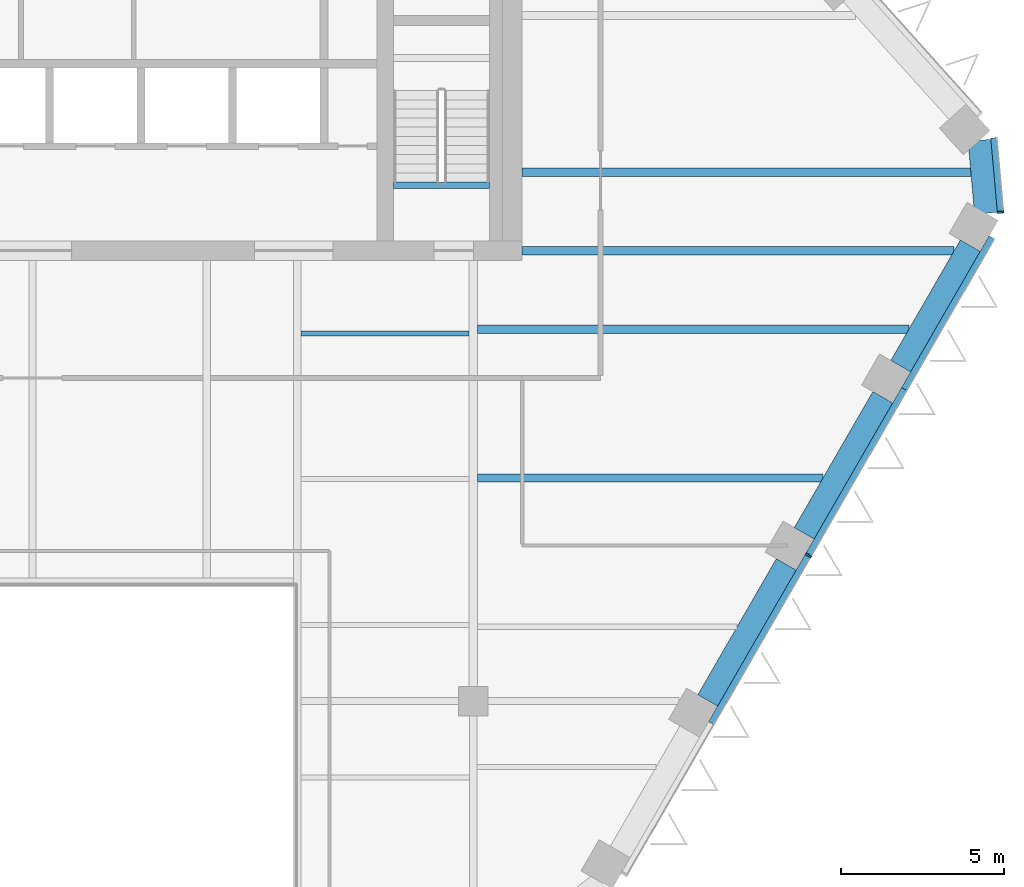
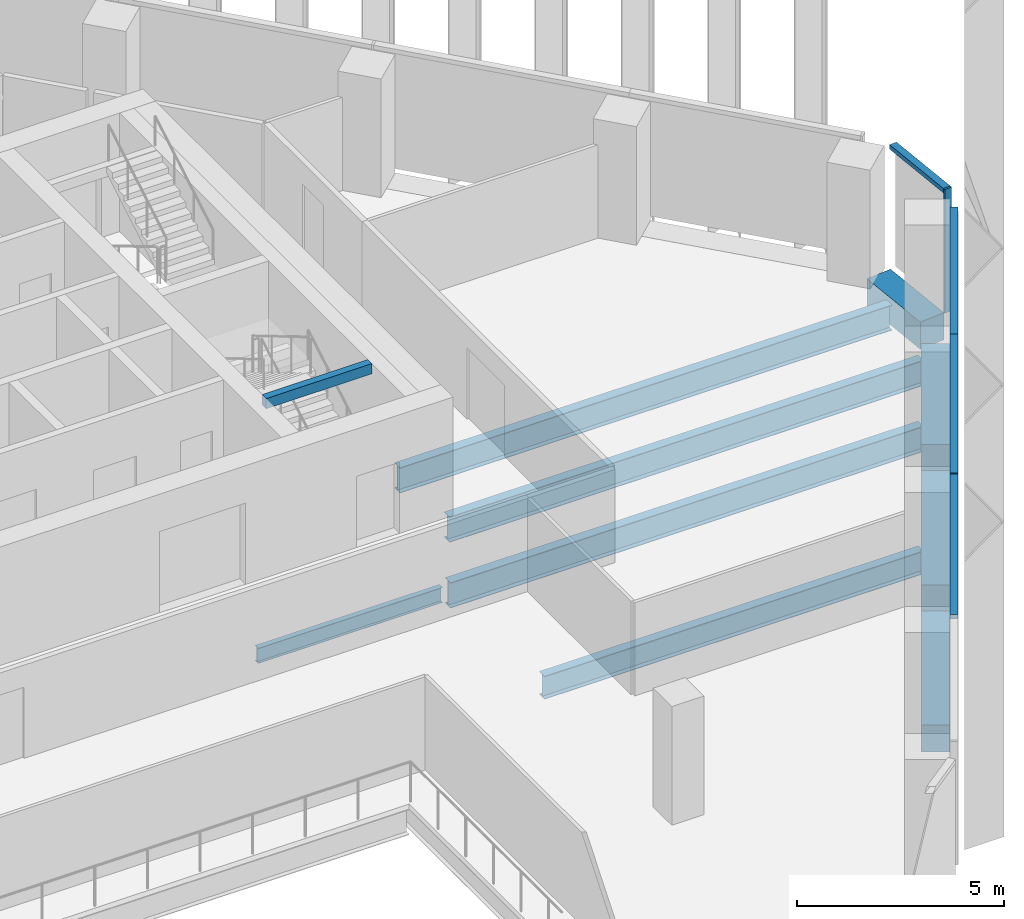
# One storey, part 5 of 18: 10 beams, 6 members, 2 elements without a shape of their own.
"""IFC4 building model written with IfcOpenShell, lengths in metres."""

import ifcopenshell
import ifcopenshell.guid

model = None  # the IFC model being written
_history = None  # IfcOwnerHistory: only IFC2X3 demands one
_inside = {}  # id of a spatial element -> (the spatial element, [elements in it])
_under = {}  # id of a project, library or spatial element -> (it, [spatial elements below it])
_declared = {}  # id of a project -> (the project, [libraries it declares])
_typed = {}  # id of a type object -> (the type object, [elements of that type])
_made_of = {}  # id of a material, layer set ... -> (it, [elements and type objects made of it])


def new_model(schema):
    """Start an empty IFC model of exactly this schema.

    Asked for "IFC4X3", IfcOpenShell would pick the latest addendum, in which some entities
    have other attributes; the version numbers below select the first issue.
    IFC2X3 requires an IfcOwnerHistory on every rooted entity: one is made here for all.
    """
    global model, _history
    if schema == "IFC4X3":
        model = ifcopenshell.file(schema_version=(4, 3, 0, 0))
    else:
        model = ifcopenshell.file(schema=schema)
    _inside.clear()
    _under.clear()
    _declared.clear()
    _typed.clear()
    _made_of.clear()
    _history = None
    if model.schema == "IFC2X3":
        org = make("IfcOrganization", Name="unknown")
        user = make(
            "IfcPersonAndOrganization",
            ThePerson=make("IfcPerson", FamilyName="unknown"),
            TheOrganization=org,
        )
        app = make(
            "IfcApplication",
            ApplicationDeveloper=org,
            Version="unknown",
            ApplicationFullName="unknown",
            ApplicationIdentifier="unknown",
        )
        _history = make(
            "IfcOwnerHistory",
            OwningUser=user,
            OwningApplication=app,
            ChangeAction="ADDED",
            CreationDate=0,
        )
    return model


def make(cls, **values):
    """One entity of the class cls with the attributes given. An attribute that is None is left unset."""
    return model.create_entity(
        cls, **{name: value for name, value in values.items() if value is not None}
    )


def rooted(cls, **values):
    """An entity with a GlobalId (a new one), such as an element, a storey or a relation."""
    return make(cls, GlobalId=ifcopenshell.guid.new(), OwnerHistory=_history, **values)


def si_unit(unit_type, name, prefix=None):
    """IfcSIUnit, for example si_unit("LENGTHUNIT", "METRE", prefix="MILLI")."""
    return make("IfcSIUnit", UnitType=unit_type, Prefix=prefix, Name=name)


def assignment(units):
    """IfcUnitAssignment: the units of a project."""
    return None if units is None else make("IfcUnitAssignment", Units=units)


def point(xyz):
    """IfcCartesianPoint."""
    return None if xyz is None else make("IfcCartesianPoint", Coordinates=xyz)


def direction(xyz):
    """IfcDirection."""
    return None if xyz is None else make("IfcDirection", DirectionRatios=xyz)


def frame(location, z_axis=None, x_axis=None):
    """IfcAxis2Placement3D, a coordinate frame: its origin and axes. An axis left out is left unset."""
    return make(
        "IfcAxis2Placement3D",
        Location=point(location),
        Axis=direction(z_axis),
        RefDirection=direction(x_axis),
    )


def frame_2d(location, x_axis=None):
    """IfcAxis2Placement2D, a coordinate frame in the plane: its origin and x axis."""
    return make(
        "IfcAxis2Placement2D", Location=point(location), RefDirection=direction(x_axis)
    )


def origin():
    """The frame at (0, 0, 0) with its axes left unset."""
    return frame((0.0, 0.0, 0.0))


def origin_2d():
    """The frame at (0, 0) in the plane with its x axis left unset."""
    return frame_2d((0.0, 0.0))


def place(relative_to, where):
    """IfcLocalPlacement: puts the frame where relative to a parent placement (None: the world)."""
    return make(
        "IfcLocalPlacement", PlacementRelTo=relative_to, RelativePlacement=where
    )


def context(
    kind, dimensions, precision=None, world=None, true_north=None, identifier=None
):
    """IfcGeometricRepresentationContext, for example the 3D "Model" context."""
    return make(
        "IfcGeometricRepresentationContext",
        ContextIdentifier=identifier,
        ContextType=kind,
        CoordinateSpaceDimension=dimensions,
        Precision=precision,
        WorldCoordinateSystem=world,
        TrueNorth=true_north,
    )


def subcontext(parent, identifier, kind, view, scale=None):
    """IfcGeometricRepresentationSubContext, for example "Body" below "Model"."""
    return make(
        "IfcGeometricRepresentationSubContext",
        ContextIdentifier=identifier,
        ContextType=kind,
        ParentContext=parent,
        TargetScale=scale,
        TargetView=view,
    )


def project(units=None, contexts=None):
    """IfcProject with its units and contexts."""
    return rooted(
        "IfcProject",
        Name="project",
        RepresentationContexts=contexts,
        UnitsInContext=assignment(units),
    )


def spatial(cls, under=None, at=None, **own):
    """A site, building, storey or space (cls), placed at a placement, below another one or the project."""
    s = rooted(cls, ObjectPlacement=at, **own)
    if under is not None:
        _under.setdefault(under.id(), (under, []))[1].append(s)
    return s


def profile(cls, at=None, kind="AREA", **sizes):
    """A parametric profile (cls). Its sizes go by their IFC names, for example OverallWidth=200.0."""
    return make(cls, ProfileType=kind, Position=at, **sizes)


def rectangle(**sizes):
    """IfcRectangleProfileDef."""
    return profile("IfcRectangleProfileDef", **sizes)


def i_section(**sizes):
    """IfcIShapeProfileDef."""
    return profile("IfcIShapeProfileDef", **sizes)


def extrude(swept, where, along, depth):
    """IfcExtrudedAreaSolid: the profile swept, set in the frame where, extruded along a direction by depth."""
    return make(
        "IfcExtrudedAreaSolid",
        SweptArea=swept,
        Position=where,
        ExtrudedDirection=direction(along),
        Depth=depth,
    )


def shape(context_of_items, identifier, shape_type, items):
    """IfcShapeRepresentation: the items that make up one representation, for example the "Body"."""
    return make(
        "IfcShapeRepresentation",
        ContextOfItems=context_of_items,
        RepresentationIdentifier=identifier,
        RepresentationType=shape_type,
        Items=items,
    )


def material(Name=None, Category=None):
    """IfcMaterial."""
    return make("IfcMaterial", Name=Name, Category=Category)


def layer(
    of_material, thickness, ventilated=None, Name=None, Category=None, Priority=None
):
    """IfcMaterialLayer: one layer of a wall or slab, of a material (None: an air gap)."""
    return make(
        "IfcMaterialLayer",
        Material=of_material,
        LayerThickness=thickness,
        IsVentilated=ventilated,
        Name=Name,
        Category=Category,
        Priority=Priority,
    )


def layer_set(layers, Name=None):
    """IfcMaterialLayerSet."""
    return make("IfcMaterialLayerSet", MaterialLayers=layers, LayerSetName=Name)


def material_profile(
    of_material, cross_section, Name=None, Category=None, Priority=None
):
    """IfcMaterialProfile: a cross section and its material."""
    return make(
        "IfcMaterialProfile",
        Name=Name,
        Material=of_material,
        Profile=cross_section,
        Priority=Priority,
        Category=Category,
    )


def profile_set(profiles, Name=None, composite=None):
    """IfcMaterialProfileSet."""
    return make(
        "IfcMaterialProfileSet",
        Name=Name,
        MaterialProfiles=profiles,
        CompositeProfile=composite,
    )


def made_of(thing, what):
    """Note that an element or type object is made of a material, layer set ...; save() writes the relation."""
    if what is not None:
        _made_of.setdefault(what.id(), (what, []))[1].append(thing)
    return thing


def type_object(cls, material=None, **own):
    """A type object (cls), such as IfcWallType, which elements share."""
    return made_of(rooted(cls, **own), material)


def element(
    cls,
    number,
    at=None,
    inside=None,
    cuts=None,
    type_object=None,
    material=None,
    context=None,
    identifier="Body",
    shape_type=None,
    held_by="IfcProductDefinitionShape",
    body=None,
    shapes=None,
    **own,
):
    """One element of the class cls, such as IfcWall. Its Tag is "e" and its number.

    at: its placement. inside: the storey or other place that contains it. cuts: it is an
    opening in that element (IfcRelVoidsElement). A single representation is given by context,
    identifier, shape_type and body (its items); several are given by shapes. held_by: the class
    of the entity that holds the representations. save() writes the other relations.
    """
    e = rooted(cls, Tag="e%d" % number, ObjectPlacement=at, **own)
    if body is not None:
        shapes = [shape(context, identifier, shape_type, body)]
    if shapes is not None:
        e.Representation = make(held_by, Representations=shapes)
    if inside is not None:
        _inside.setdefault(inside.id(), (inside, []))[1].append(e)
    if cuts is not None:
        rooted(
            "IfcRelVoidsElement", RelatingBuildingElement=cuts, RelatedOpeningElement=e
        )
    if type_object is not None:
        _typed.setdefault(type_object.id(), (type_object, []))[1].append(e)
    return made_of(e, material)


def aggregate(whole, parts):
    """IfcRelAggregates: a whole, such as a stair, and the parts it consists of."""
    return rooted("IfcRelAggregates", RelatingObject=whole, RelatedObjects=parts)


def save(model, path):
    """Write the relations noted so far, then the file.

    IfcRelAggregates (storeys below a building ...), IfcRelContainedInSpatialStructure (elements
    in a storey), IfcRelDefinesByType, IfcRelAssociatesMaterial and IfcRelDeclares: one each for
    every whole, place, type object, material and project.
    """
    for whole, parts in _under.values():
        aggregate(whole, parts)
    for where, things in _inside.values():
        rooted(
            "IfcRelContainedInSpatialStructure",
            RelatedElements=things,
            RelatingStructure=where,
        )
    for kind, things in _typed.values():
        rooted("IfcRelDefinesByType", RelatedObjects=things, RelatingType=kind)
    for what, things in _made_of.values():
        rooted("IfcRelAssociatesMaterial", RelatedObjects=things, RelatingMaterial=what)
    for by, libraries in _declared.values():
        rooted("IfcRelDeclares", RelatingContext=by, RelatedDefinitions=libraries)
    model.write(path)


model = new_model("IFC4")

# Units and contexts
model_context = context("Model", 3, precision=1e-05, world=origin(), true_north=direction((0.0, 1.0)))
body_context = subcontext(model_context, "Body", "Model", "MODEL_VIEW")
ifc_project = project(units=[si_unit("LENGTHUNIT", "METRE"), si_unit("AREAUNIT", "SQUARE_METRE"), si_unit("VOLUMEUNIT", "CUBIC_METRE"), si_unit("PLANEANGLEUNIT", "RADIAN"), si_unit("MASSUNIT", "GRAM", prefix="KILO")], contexts=[model_context])

# Site, building, storey
site_placement = place(None, origin())
site = spatial("IfcSite", under=ifc_project, at=site_placement, CompositionType="ELEMENT")
building_placement = place(site_placement, origin())
building = spatial("IfcBuilding", under=site, at=building_placement, Name="Isthmus Gate Tower", CompositionType="ELEMENT")
storey_placement = place(building_placement, frame((0.0, 0.0, 238.199951171875)))
storey = spatial("IfcBuildingStorey", under=building, at=storey_placement, Name="L60", CompositionType="ELEMENT", Elevation=238.199951171875)

# Curtain wall, member
ifc_material_1 = material(Name="Aluminium, pale champagne anodised", Category="aluminium")
ifc_layer = layer(ifc_material_1, 0.199951171875)
ifc_layer_set = layer_set([ifc_layer], Name="CW-1 UNITISED CURTAIN WALL 200 DEEP")
curtain_wall_type = type_object("IfcCurtainWallType", Name="CW-1 UNITISED CURTAIN WALL 200 DEEP", PredefinedType="NOTDEFINED", material=ifc_layer_set)
curtain_wall_1_placement = place(storey_placement, origin())
curtain_wall_1 = element("IfcCurtainWall", 1, at=curtain_wall_1_placement, inside=storey, type_object=curtain_wall_type, Name="CW-1 SE L60", PredefinedType="NOTDEFINED")
ifc_material_2 = material(Name="Aluminium, pale champagne anodised", Category="aluminium")
ifc_material_profile_1 = material_profile(ifc_material_2, rectangle(XDim=0.06005859375, YDim=0.199951171875, at=origin_2d()), Name="60x200")
ifc_profile_set_1 = profile_set([ifc_material_profile_1], Name="Aluminium, pale champagne anodised")
member_type_1 = type_object("IfcMemberType", Name="CW-1 MULLION 60 X 200", PredefinedType="MULLION", material=ifc_profile_set_1)
member_1_placement = place(storey_placement, frame((23.767333984375, -9.033935546875, 0.0), z_axis=(0.0, 0.0, 1.0), x_axis=(0.5, 0.866025403784, 0.0)))
member_1 = element("IfcMember", 2, at=member_1_placement, type_object=member_type_1, Name="CW-1 mullion", PredefinedType="MULLION", context=body_context, shape_type="SweptSolid", body=[
    extrude(rectangle(XDim=0.06005859375, YDim=0.199951171875, at=origin_2d()), origin(), (0.0, 0.0, 1.0), 3.650146484375),
])

curtain_wall_2_placement = place(storey_placement, origin())
curtain_wall_2 = element("IfcCurtainWall", 3, at=curtain_wall_2_placement, inside=storey, type_object=curtain_wall_type, Name="CW-1 SE-NE L60", PredefinedType="NOTDEFINED")
member_2_placement = place(storey_placement, frame((29.654296875, 1.4765625, 0.0), z_axis=(0.0, 0.0, 1.0), x_axis=(-0.089396669717, 0.995996102123, 0.0)))
member_2 = element("IfcMember", 4, at=member_2_placement, type_object=member_type_1, Name="CW-1 mullion", PredefinedType="MULLION", context=body_context, shape_type="SweptSolid", body=[
    extrude(rectangle(XDim=0.06005859375, YDim=0.199951171875, at=origin_2d()), origin(), (0.0, 0.0, 1.0), 3.650146484375),
])

# Member
ifc_material_3 = material(Name="Aluminium, pale champagne anodised", Category="aluminium")
ifc_material_profile_2 = material_profile(ifc_material_3, rectangle(XDim=0.199951171875, YDim=0.1298828125, at=origin_2d()), Name="200x130")
ifc_profile_set_2 = profile_set([ifc_material_profile_2], Name="Aluminium, pale champagne anodised")
member_type_2 = type_object("IfcMemberType", Name="CW-1 TRANSOM 200 X 130", PredefinedType="USERDEFINED", material=ifc_profile_set_2)
member_3_placement = place(storey_placement, frame((20.796875, -14.178466796875, 3.5849609375), z_axis=(0.500008496284, 0.866020498397, 0.0), x_axis=(-0.866020498397, 0.500008496284, 0.0)))
member_3 = element("IfcMember", 5, at=member_3_placement, type_object=member_type_2, Name="CW-1 transom", ObjectType="TRANSOM", PredefinedType="USERDEFINED", context=body_context, shape_type="SweptSolid", body=[
    extrude(rectangle(XDim=0.199951171875, YDim=0.1298828125, at=origin_2d()), origin(), (0.0, 0.0, 1.0), 5.91064453125),
])

member_4_placement = place(storey_placement, frame((23.7822265625, -9.0078125, 3.5849609375), z_axis=(0.500007820066, 0.86602088882, 0.0), x_axis=(-0.86602088882, 0.500007820066, 0.0)))
member_4 = element("IfcMember", 6, at=member_4_placement, type_object=member_type_2, Name="CW-1 transom", ObjectType="TRANSOM", PredefinedType="USERDEFINED", context=body_context, shape_type="SweptSolid", body=[
    extrude(rectangle(XDim=0.199951171875, YDim=0.1298828125, at=origin_2d()), origin(), (0.0, 0.0, 1.0), 5.8505859375),
])

member_5_placement = place(storey_placement, frame((26.70751953125, -3.941162109375, 3.5849609375), z_axis=(0.50002338526, 0.866011901877, 0.0), x_axis=(-0.866011901877, 0.50002338526, 0.0)))
member_5 = element("IfcMember", 7, at=member_5_placement, type_object=member_type_2, Name="CW-1 transom", ObjectType="TRANSOM", PredefinedType="USERDEFINED", context=body_context, shape_type="SweptSolid", body=[
    extrude(rectangle(XDim=0.199951171875, YDim=0.1298828125, at=origin_2d()), origin(), (0.0, 0.0, 1.0), 5.360595703125),
])

aggregate(curtain_wall_1, [member_3, member_1, member_4, member_5])

member_6_placement = place(storey_placement, frame((29.651611328125, 1.506591796875, 3.5849609375), z_axis=(-0.089395362867, 0.995996219419, 0.0), x_axis=(-0.995996219419, -0.089395362867, 0.0)))
member_6 = element("IfcMember", 8, at=member_6_placement, type_object=member_type_2, Name="CW-1 transom", ObjectType="TRANSOM", PredefinedType="USERDEFINED", context=body_context, shape_type="SweptSolid", body=[
    extrude(rectangle(XDim=0.199951171875, YDim=0.1298828125, at=origin_2d()), origin(), (0.0, 0.0, 1.0), 2.258544921875),
])

aggregate(curtain_wall_2, [member_2, member_6])

# Beams
ifc_material_4 = material(Name="Concrete f'c 50 MPa", Category="concrete")
ifc_material_profile_3 = material_profile(ifc_material_4, rectangle(XDim=0.699951171875, YDim=0.800048828125, at=origin_2d()), Name="RC 700X800")
ifc_profile_set_3 = profile_set([ifc_material_profile_3], Name="Concrete f'c 50 MPa")
beam_type_1 = type_object("IfcBeamType", Name="RC SPANDREL 700 X 800", PredefinedType="SPANDREL", material=ifc_profile_set_3)
beam_1_placement = place(storey_placement, frame((29.0048828125, 3.678466796875, -0.39990234375), z_axis=(0.089359478208, -0.995999439585, 0.0), x_axis=(0.995999439585, 0.089359478208, 0.0)))
element("IfcBeam", 9, at=beam_1_placement, inside=storey, type_object=beam_type_1, Name="str-spandrel-L60-05", PredefinedType="SPANDREL", context=body_context, shape_type="SweptSolid", body=[
    extrude(rectangle(XDim=0.699951171875, YDim=0.800048828125, at=origin_2d()), origin(), (0.0, 0.0, 1.0), 2.245849609375),
])
beam_2_placement = place(storey_placement, frame((28.72314453125, 0.449951171875, -0.39990234375), z_axis=(-0.500021719575, -0.866012863619, 0.0), x_axis=(0.866012863619, -0.500021719575, 0.0)))
element("IfcBeam", 10, at=beam_2_placement, inside=storey, type_object=beam_type_1, Name="str-spandrel-L60-06", PredefinedType="SPANDREL", context=body_context, shape_type="SweptSolid", body=[
    extrude(rectangle(XDim=0.699951171875, YDim=0.800048828125, at=origin_2d()), origin(), (0.0, 0.0, 1.0), 4.260498046875),
])
for number, where, z_axis, x_axis, name in (
    (11, (26.04296875, -4.1923828125, -0.39990234375), (-0.500019702373, -0.866014028315, 0.0), (0.866014028315, -0.500019702373, 0.0), "str-spandrel-L60-07"),
    (12, (23.087646484375, -9.31103515625, -0.39990234375), (-0.49998164095, -0.866036003127, 0.0), (0.866036003127, -0.49998164095, 0.0), "str-spandrel-L60-08"),
):
    element("IfcBeam", number, at=place(storey_placement, frame(where, z_axis=z_axis, x_axis=x_axis)), inside=storey, type_object=beam_type_1, Name=name, PredefinedType="SPANDREL", context=body_context, shape_type="SweptSolid", body=[
        extrude(rectangle(XDim=0.699951171875, YDim=0.800048828125, at=origin_2d()), origin(), (0.0, 0.0, 1.0), 4.810791015625),
    ])
ifc_material_5 = material(Name="Concrete f'c 40 MPa", Category="concrete")
ifc_material_profile_4 = material_profile(ifc_material_5, rectangle(XDim=0.199951171875, YDim=0.300048828125, at=origin_2d()), Name="STAIR LANDING BEAM RC 200 X 300")
ifc_profile_set_4 = profile_set([ifc_material_profile_4], Name="Concrete f'c 40 MPa")
beam_type_2 = type_object("IfcBeamType", Name="STAIR LANDING BEAM RC 200 X 300", PredefinedType="BEAM", material=ifc_profile_set_4)
beam_3_placement = place(storey_placement, frame((11.050048828125, 2.2998046875, 3.35009765625), z_axis=(1.0, 0.0, 0.0), x_axis=(0.0, 1.0, 0.0)))
element("IfcBeam", 13, at=beam_3_placement, inside=storey, type_object=beam_type_2, Name="L60 ST8 floor-edge seat beam", PredefinedType="BEAM", context=body_context, shape_type="SweptSolid", body=[
    extrude(rectangle(XDim=0.199951171875, YDim=0.300048828125, at=origin_2d()), origin(), (0.0, 0.0, 1.0), 2.949951171875),
])
ifc_material_6 = material(Name="Structural steel ASTM A992 Gr 50", Category="steel")
ifc_material_profile_5 = material_profile(ifc_material_6, i_section(OverallWidth=0.15234375, OverallDepth=0.45068359375, WebThickness=0.0078125, FlangeThickness=0.010986328125, at=origin_2d()), Name="W18X35")
ifc_profile_set_5 = profile_set([ifc_material_profile_5], Name="Structural steel ASTM A992 Gr 50")
beam_type_3 = type_object("IfcBeamType", Name="STEEL FLOOR BEAM W18X35", PredefinedType="JOIST", material=ifc_profile_set_5)
beam_4_placement = place(storey_placement, frame((8.228515625, -2.232421875, -0.375244140625), z_axis=(1.0, 0.0, 0.0), x_axis=(0.0, 1.0, 0.0)))
element("IfcBeam", 14, at=beam_4_placement, inside=storey, type_object=beam_type_3, Name="str-beam-L60-10-02", PredefinedType="JOIST", context=body_context, shape_type="SweptSolid", body=[
    extrude(i_section(OverallWidth=0.15234375, OverallDepth=0.45068359375, WebThickness=0.0078125, FlangeThickness=0.010986328125, at=origin_2d()), origin(), (0.0, 0.0, 1.0), 5.1396484375),
])
ifc_material_7 = material(Name="Structural steel ASTM A992 Gr 50", Category="steel")
ifc_material_profile_6 = material_profile(ifc_material_7, i_section(OverallWidth=0.25390625, OverallDepth=0.679443359375, WebThickness=0.010986328125, FlangeThickness=0.015869140625, at=origin_2d()), Name="W27X84")
ifc_profile_set_6 = profile_set([ifc_material_profile_6], Name="Structural steel ASTM A992 Gr 50")
beam_type_4 = type_object("IfcBeamType", Name="STEEL FLOOR BEAM W27X84", PredefinedType="JOIST", material=ifc_profile_set_6)
beam_5_placement = place(storey_placement, frame((13.6318359375, -6.665771484375, -0.48974609375), z_axis=(1.0, 0.0, 0.0), x_axis=(0.0, 1.0, 0.0)))
element("IfcBeam", 15, at=beam_5_placement, inside=storey, type_object=beam_type_4, Name="str-beam-L60-12-01", PredefinedType="JOIST", context=body_context, shape_type="SweptSolid", body=[
    extrude(i_section(OverallWidth=0.25390625, OverallDepth=0.679443359375, WebThickness=0.010986328125, FlangeThickness=0.015869140625, at=origin_2d()), origin(), (0.0, 0.0, 1.0), 10.578857421875),
])
ifc_material_8 = material(Name="Structural steel ASTM A992 Gr 50", Category="steel")
ifc_material_profile_7 = material_profile(ifc_material_8, i_section(OverallWidth=0.263427734375, OverallDepth=0.749267578125, WebThickness=0.0126953125, FlangeThickness=0.015869140625, at=origin_2d()), Name="W30X90")
ifc_profile_set_7 = profile_set([ifc_material_profile_7], Name="Structural steel ASTM A992 Gr 50")
beam_type_5 = type_object("IfcBeamType", Name="STEEL FLOOR BEAM W30X90", PredefinedType="JOIST", material=ifc_profile_set_7)
beam_6_placement = place(storey_placement, frame((13.6318359375, -2.10986328125, -0.524658203125), z_axis=(1.0, 0.0, 0.0), x_axis=(0.0, 1.0, 0.0)))
element("IfcBeam", 16, at=beam_6_placement, inside=storey, type_object=beam_type_5, Name="str-beam-L60-12-02", PredefinedType="JOIST", context=body_context, shape_type="SweptSolid", body=[
    extrude(i_section(OverallWidth=0.263427734375, OverallDepth=0.749267578125, WebThickness=0.0126953125, FlangeThickness=0.015869140625, at=origin_2d()), origin(), (0.0, 0.0, 1.0), 13.209228515625),
])
beam_7_placement = place(storey_placement, frame((15.0, 2.699951171875, -0.524658203125), z_axis=(1.0, 0.0, 0.0), x_axis=(0.0, 1.0, 0.0)))
element("IfcBeam", 17, at=beam_7_placement, inside=storey, type_object=beam_type_5, Name="str-beam-L60-13-00", PredefinedType="JOIST", context=body_context, shape_type="SweptSolid", body=[
    extrude(i_section(OverallWidth=0.263427734375, OverallDepth=0.749267578125, WebThickness=0.0126953125, FlangeThickness=0.015869140625, at=origin_2d()), origin(), (0.0, 0.0, 1.0), 13.7412109375),
])
ifc_material_9 = material(Name="Structural steel ASTM A992 Gr 50", Category="steel")
ifc_material_profile_8 = material_profile(ifc_material_9, i_section(OverallWidth=0.263427734375, OverallDepth=0.749267578125, WebThickness=0.0126953125, FlangeThickness=0.015869140625, at=origin_2d()), Name="W30X90")
ifc_profile_set_8 = profile_set([ifc_material_profile_8], Name="Structural steel ASTM A992 Gr 50")
beam_type_6 = type_object("IfcBeamType", Name="STEEL GIRDER W30X90", PredefinedType="BEAM", material=ifc_profile_set_8)
beam_8_placement = place(storey_placement, frame((15.0, 0.300048828125, -0.524658203125), z_axis=(1.0, 0.0, 0.0), x_axis=(0.0, 1.0, 0.0)))
element("IfcBeam", 18, at=beam_8_placement, inside=storey, type_object=beam_type_6, Name="str-girder-L60-10", PredefinedType="BEAM", context=body_context, shape_type="SweptSolid", body=[
    extrude(i_section(OverallWidth=0.263427734375, OverallDepth=0.749267578125, WebThickness=0.0126953125, FlangeThickness=0.015869140625, at=origin_2d()), origin(), (0.0, 0.0, 1.0), 13.232421875),
])

save(model, "model.ifc")
